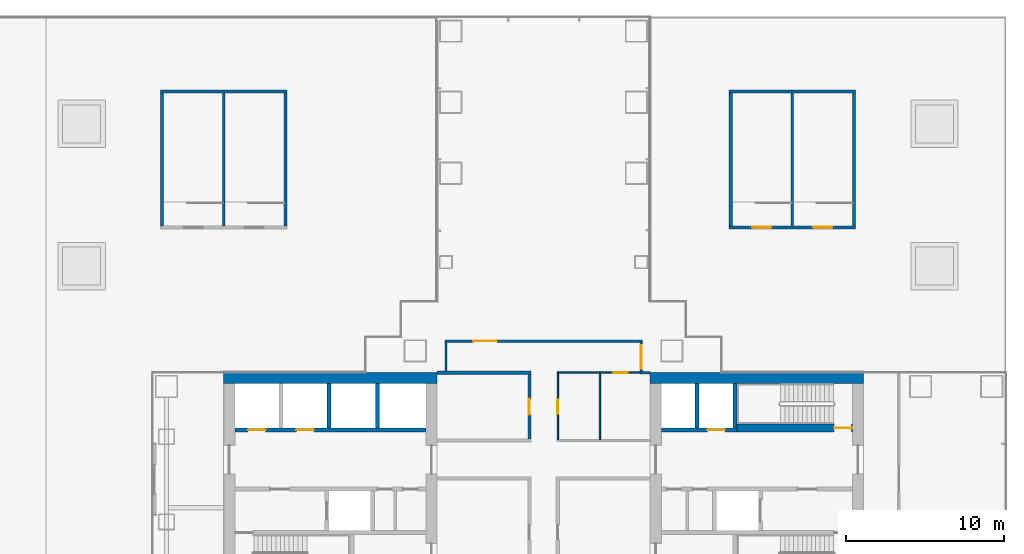
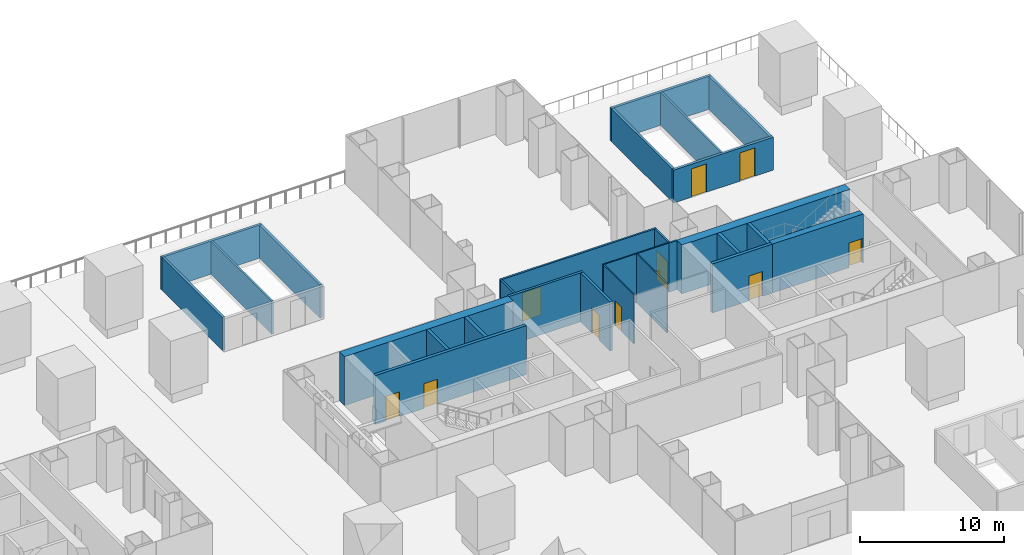
# One storey, part 18 of 23: 27 walls, 11 doors, 11 openings.
"""IFC4 building model written with IfcOpenShell, lengths in metres."""

from ifc_helpers import new_model, si_unit, direction, frame, frame_2d, origin, place, context, subcontext, project, spatial, rectangle, extrude, material, layer, layer_set, type_object, element, fill, save


model = new_model("IFC4")

# Units and contexts
model_context = context("Model", 3, precision=1e-05, world=origin(), true_north=direction((0.0, 1.0)))
body_context = subcontext(model_context, "Body", "Model", "MODEL_VIEW")
ifc_project = project(units=[si_unit("LENGTHUNIT", "METRE"), si_unit("AREAUNIT", "SQUARE_METRE"), si_unit("VOLUMEUNIT", "CUBIC_METRE"), si_unit("PLANEANGLEUNIT", "RADIAN"), si_unit("MASSUNIT", "GRAM", prefix="KILO")], contexts=[model_context])

# Site, building, storey
site_placement = place(None, origin())
site = spatial("IfcSite", under=ifc_project, at=site_placement, CompositionType="ELEMENT")
building_placement = place(site_placement, origin())
building = spatial("IfcBuilding", under=site, at=building_placement, Name="Shamsa Quay Exchange Towers", CompositionType="ELEMENT")
storey_placement = place(building_placement, frame((0.0, 0.0, 28.5)))
storey = spatial("IfcBuildingStorey", under=building, at=storey_placement, Name="L05", CompositionType="ELEMENT", Elevation=28.5)

# Walls
ifc_material_1 = material(Name="Concrete C80/95", Category="concrete")
ifc_layer_1 = layer(ifc_material_1, 0.699951171875)
ifc_layer_set_1 = layer_set([ifc_layer_1], Name="CORE WALL 700 C80/95")
wall_type_1 = type_object("IfcWallType", Name="CORE WALL 700 C80/95", PredefinedType="SHEAR", material=ifc_layer_set_1)
wall_1_placement = place(storey_placement, frame((13.5, 6.39990234375, 0.0)))
element("IfcWall", 1, at=wall_1_placement, inside=storey, type_object=wall_type_1, Name="Core wall T2A-R01-PN", PredefinedType="SHEAR", context=body_context, shape_type="SweptSolid", body=[
    extrude(rectangle(XDim=13.5, YDim=0.699951171875, at=frame_2d((6.75, 0.0))), origin(), (0.0, 0.0, 1.0), 4.14990234375),
])
wall_2_placement = place(storey_placement, frame((54.0, 6.39990234375, 0.0), z_axis=(0.0, 0.0, 1.0), x_axis=(-1.0, 0.0, 0.0)))
element("IfcWall", 2, at=wall_2_placement, inside=storey, type_object=wall_type_1, Name="Core wall T2B-R01-PN", PredefinedType="SHEAR", context=body_context, shape_type="SweptSolid", body=[
    extrude(rectangle(XDim=13.5, YDim=0.699951171875, at=frame_2d((6.75, 0.0))), origin(), (0.0, 0.0, 1.0), 4.14990234375),
])

# Wall, opening, door
ifc_material_2 = material(Name="Gypsum board partition on metal studs")
ifc_layer_2 = layer(ifc_material_2, 0.10009765625)
ifc_layer_set_2 = layer_set([ifc_layer_2], Name="Partition 100 mm NOT RATED")
wall_type_2 = type_object("IfcWallType", Name="Partition 100 mm NOT RATED", PredefinedType="PARTITIONING", material=ifc_layer_set_2)
wall_3_placement = place(storey_placement, frame((39.999755859375, 6.75, 0.0), z_axis=(0.0, 0.0, 1.0), x_axis=(-1.0, 0.0, 0.0)))
wall_3 = element("IfcWall", 3, at=wall_3_placement, inside=storey, type_object=wall_type_2, Name="Partition T2-R01-W10", PredefinedType="PARTITIONING", context=body_context, shape_type="SweptSolid", body=[
    extrude(rectangle(XDim=5.3994140625, YDim=0.10009765625, at=frame_2d((2.69970703125, 0.0))), origin(), (0.0, 0.0, 1.0), 4.14990234375),
])
opening_1_placement = place(wall_3_placement, frame((0.93115234375, 0.0, 0.0)))
opening_1 = element("IfcOpeningElement", 4, at=opening_1_placement, cuts=wall_3, Name="Opening T2-R01-D07", PredefinedType="OPENING", context=body_context, shape_type="SweptSolid", body=[
    extrude(rectangle(XDim=0.89990234375, YDim=2.10009765625, at=frame_2d((0.449951171875, 1.050048828125))), frame((0.0, 0.06005859375, 0.0), z_axis=(0.0, -1.0, 0.0), x_axis=(1.0, 0.0, 0.0)), (0.0, 0.0, 1.0), 0.1201171875),
])
ifc_material_3 = material(Name="Timber door leaf in a metal frame", Category="wood")
door_type_1 = type_object("IfcDoorType", Name="Door 900x2100 NOT RATED", OperationType="NOTDEFINED", PredefinedType="DOOR", material=ifc_material_3)
door_1_placement = place(opening_1_placement, origin())
door_1 = element("IfcDoor", 5, at=door_1_placement, inside=storey, type_object=door_type_1, Name="Door T2-R01-D07", OperationType="SINGLE_SWING_RIGHT", OverallHeight=2.10009765625, OverallWidth=0.89990234375, PredefinedType="DOOR", context=body_context, shape_type="SweptSolid", body=[
    extrude(rectangle(XDim=0.89990234375, YDim=2.10009765625, at=frame_2d((0.449951171875, 1.050048828125))), frame((0.0, 0.02490234375, 0.0), z_axis=(0.0, -1.0, 0.0), x_axis=(1.0, 0.0, 0.0)), (0.0, 0.0, 1.0), 0.050048828125),
])
fill(opening_1, door_1)

wall_4_placement = place(storey_placement, frame((34.650390625, 6.699951171875, 0.0), z_axis=(0.0, 0.0, 1.0), x_axis=(0.0, -1.0, 0.0)))
wall_4 = element("IfcWall", 6, at=wall_4_placement, inside=storey, type_object=wall_type_2, Name="Partition T2-R01-W11", PredefinedType="PARTITIONING", context=body_context, shape_type="SweptSolid", body=[
    extrude(rectangle(XDim=4.19970703125, YDim=0.10009765625, at=frame_2d((2.099853515625, 0.0))), origin(), (0.0, 0.0, 1.0), 4.14990234375),
])
opening_2_placement = place(wall_4_placement, frame((1.64990234375, 0.0, 0.0)))
opening_2 = element("IfcOpeningElement", 7, at=opening_2_placement, cuts=wall_4, Name="Opening T2-R01-D06", PredefinedType="OPENING", context=body_context, shape_type="SweptSolid", body=[
    extrude(rectangle(XDim=0.89990234375, YDim=2.10009765625, at=frame_2d((0.449951171875, 1.050048828125))), frame((0.0, 0.06005859375, 0.0), z_axis=(0.0, -1.0, 0.0), x_axis=(1.0, 0.0, 0.0)), (0.0, 0.0, 1.0), 0.1201171875),
])
door_2_placement = place(opening_2_placement, origin())
door_2 = element("IfcDoor", 8, at=door_2_placement, inside=storey, type_object=door_type_1, Name="Door T2-R01-D06", OperationType="SINGLE_SWING_RIGHT", OverallHeight=2.10009765625, OverallWidth=0.89990234375, PredefinedType="DOOR", context=body_context, shape_type="SweptSolid", body=[
    extrude(rectangle(XDim=0.89990234375, YDim=2.10009765625, at=frame_2d((0.449951171875, 1.050048828125))), frame((0.0, 0.02490234375, 0.0), z_axis=(0.0, -1.0, 0.0), x_axis=(1.0, 0.0, 0.0)), (0.0, 0.0, 1.0), 0.050048828125),
])
fill(opening_2, door_2)

# Wall
wall_5_placement = place(storey_placement, frame((37.3125, 6.699951171875, 0.0), z_axis=(0.0, 0.0, 1.0), x_axis=(0.0, -1.0, 0.0)))
element("IfcWall", 9, at=wall_5_placement, inside=storey, type_object=wall_type_2, Name="Partition T2-R01-W20", PredefinedType="PARTITIONING", context=body_context, shape_type="SweptSolid", body=[
    extrude(rectangle(XDim=4.19970703125, YDim=0.10009765625, at=frame_2d((2.099853515625, 0.0))), origin(), (0.0, 0.0, 1.0), 4.14990234375),
])

# Wall, opening, door
ifc_layer_3 = layer(ifc_material_2, 0.14990234375)
ifc_layer_set_3 = layer_set([ifc_layer_3], Name="Partition 150 mm EI 60")
wall_type_3 = type_object("IfcWallType", Name="Partition 150 mm EI 60", PredefinedType="PARTITIONING", material=ifc_layer_set_3)
wall_6_placement = place(storey_placement, frame((39.9248046875, 6.824951171875, 0.0), z_axis=(0.0, 0.0, 1.0), x_axis=(0.0, 1.0, 0.0)))
wall_6 = element("IfcWall", 10, at=wall_6_placement, inside=storey, type_object=wall_type_3, Name="Partition T2-R01-W13", PredefinedType="PARTITIONING", context=body_context, shape_type="SweptSolid", body=[
    extrude(rectangle(XDim=1.85009765625, YDim=0.14990234375, at=frame_2d((0.925048828125, 0.0))), origin(), (0.0, 0.0, 1.0), 4.14990234375),
])
opening_3_placement = place(wall_6_placement, frame((0.175048828125, 0.0, 0.0)))
opening_3 = element("IfcOpeningElement", 11, at=opening_3_placement, cuts=wall_6, Name="Opening T2-R01-D04", PredefinedType="OPENING", context=body_context, shape_type="SweptSolid", body=[
    extrude(rectangle(XDim=1.5, YDim=2.39990234375, at=frame_2d((0.75, 1.199951171875))), frame((0.0, 0.0849609375, 0.0), z_axis=(0.0, -1.0, 0.0), x_axis=(1.0, 0.0, 0.0)), (0.0, 0.0, 1.0), 0.169921875),
])
door_type_2 = type_object("IfcDoorType", Name="Door 1500x2400 FD30S pair", OperationType="NOTDEFINED", PredefinedType="DOOR", material=ifc_material_3)
door_3_placement = place(opening_3_placement, origin())
door_3 = element("IfcDoor", 12, at=door_3_placement, inside=storey, type_object=door_type_2, Name="Door T2-R01-D04", OperationType="DOUBLE_DOOR_SINGLE_SWING", OverallHeight=2.39990234375, OverallWidth=1.5, PredefinedType="DOOR", context=body_context, shape_type="SweptSolid", body=[
    extrude(rectangle(XDim=1.5, YDim=2.39990234375, at=frame_2d((0.75, 1.199951171875))), frame((0.0, 0.02490234375, 0.0), z_axis=(0.0, -1.0, 0.0), x_axis=(1.0, 0.0, 0.0)), (0.0, 0.0, 1.0), 0.050048828125),
])
fill(opening_3, door_3)

wall_7_placement = place(storey_placement, frame((39.999755859375, 8.75, 0.0), z_axis=(0.0, 0.0, 1.0), x_axis=(-1.0, 0.0, 0.0)))
wall_7 = element("IfcWall", 13, at=wall_7_placement, inside=storey, type_object=wall_type_3, Name="Partition T2-R01-W15", PredefinedType="PARTITIONING", context=body_context, shape_type="SweptSolid", body=[
    extrude(rectangle(XDim=12.49951171875, YDim=0.14990234375, at=frame_2d((6.249755859375, 0.0))), origin(), (0.0, 0.0, 1.0), 4.14990234375),
])
opening_4_placement = place(wall_7_placement, frame((9.20458984375, 0.0, 0.0)))
opening_4 = element("IfcOpeningElement", 14, at=opening_4_placement, cuts=wall_7, Name="Opening T2-R01-D10", PredefinedType="OPENING", context=body_context, shape_type="SweptSolid", body=[
    extrude(rectangle(XDim=1.5, YDim=2.39990234375, at=frame_2d((0.75, 1.199951171875))), frame((0.0, 0.0849609375, 0.0), z_axis=(0.0, -1.0, 0.0), x_axis=(1.0, 0.0, 0.0)), (0.0, 0.0, 1.0), 0.169921875),
])
door_4_placement = place(opening_4_placement, origin())
door_4 = element("IfcDoor", 15, at=door_4_placement, inside=storey, type_object=door_type_2, Name="Door T2-R01-D10", OperationType="DOUBLE_DOOR_SINGLE_SWING", OverallHeight=2.39990234375, OverallWidth=1.5, PredefinedType="DOOR", context=body_context, shape_type="SweptSolid", body=[
    extrude(rectangle(XDim=1.5, YDim=2.39990234375, at=frame_2d((0.75, 1.199951171875))), frame((0.0, 0.02490234375, 0.0), z_axis=(0.0, -1.0, 0.0), x_axis=(1.0, 0.0, 0.0)), (0.0, 0.0, 1.0), 0.050048828125),
])
fill(opening_4, door_4)

# Walls
wall_8_placement = place(storey_placement, frame((27.5751953125, 8.675048828125, 0.0), z_axis=(0.0, 0.0, 1.0), x_axis=(0.0, -1.0, 0.0)))
element("IfcWall", 16, at=wall_8_placement, inside=storey, type_object=wall_type_3, Name="Partition T2-R01-W17", PredefinedType="PARTITIONING", context=body_context, shape_type="SweptSolid", body=[
    extrude(rectangle(XDim=1.824951171875, YDim=0.14990234375, at=frame_2d((0.91259765625, 0.0))), origin(), (0.0, 0.0, 1.0), 4.14990234375),
])
wall_9_placement = place(storey_placement, frame((40.5, 6.75, 0.0), z_axis=(0.0, 0.0, 1.0), x_axis=(-1.0, 0.0, 0.0)))
element("IfcWall", 17, at=wall_9_placement, inside=storey, type_object=wall_type_3, Name="Partition T2-R01-W21", PredefinedType="PARTITIONING", context=body_context, shape_type="SweptSolid", body=[
    extrude(rectangle(XDim=0.650146484375, YDim=0.14990234375, at=frame_2d((0.3251953125, 0.0))), origin(), (0.0, 0.0, 1.0), 4.14990234375),
])
ifc_layer_4 = layer(ifc_material_2, 0.199951171875)
ifc_layer_set_4 = layer_set([ifc_layer_4], Name="Partition 200 mm EI 120")
wall_type_4 = type_object("IfcWallType", Name="Partition 200 mm EI 120", PredefinedType="PARTITIONING", material=ifc_layer_set_4)
wall_10_placement = place(storey_placement, frame((32.94970703125, 6.75, 0.0), z_axis=(0.0, 0.0, 1.0), x_axis=(-1.0, 0.0, 0.0)))
element("IfcWall", 18, at=wall_10_placement, inside=storey, type_object=wall_type_4, Name="Partition T2-R01-W01", PredefinedType="PARTITIONING", context=body_context, shape_type="SweptSolid", body=[
    extrude(rectangle(XDim=5.94970703125, YDim=0.199951171875, at=frame_2d((2.974853515625, 0.0))), origin(), (0.0, 0.0, 1.0), 4.14990234375),
])

# Wall, opening, door
wall_11_placement = place(storey_placement, frame((32.849609375, 2.55029296875, 0.0), z_axis=(0.0, 0.0, 1.0), x_axis=(0.0, 1.0, 0.0)))
wall_11 = element("IfcWall", 19, at=wall_11_placement, inside=storey, type_object=wall_type_4, Name="Partition T2-R01-W02", PredefinedType="PARTITIONING", context=body_context, shape_type="SweptSolid", body=[
    extrude(rectangle(XDim=4.099609375, YDim=0.199951171875, at=frame_2d((2.0498046875, 0.0))), origin(), (0.0, 0.0, 1.0), 4.14990234375),
])
opening_5_placement = place(wall_11_placement, frame((1.5498046875, 0.0, 0.0)))
opening_5 = element("IfcOpeningElement", 20, at=opening_5_placement, cuts=wall_11, Name="Opening T2-R01-D09", PredefinedType="OPENING", context=body_context, shape_type="SweptSolid", body=[
    extrude(rectangle(XDim=1.0, YDim=2.10009765625, at=frame_2d((0.5, 1.050048828125))), frame((0.0, 0.10986328125, 0.0), z_axis=(0.0, -1.0, 0.0), x_axis=(1.0, 0.0, 0.0)), (0.0, 0.0, 1.0), 0.219970703125),
])
door_type_3 = type_object("IfcDoorType", Name="Door 1000x2100 FD60", OperationType="NOTDEFINED", PredefinedType="DOOR", material=ifc_material_3)
door_5_placement = place(opening_5_placement, origin())
door_5 = element("IfcDoor", 21, at=door_5_placement, inside=storey, type_object=door_type_3, Name="Door T2-R01-D09", OperationType="SINGLE_SWING_RIGHT", OverallHeight=2.10009765625, OverallWidth=1.0, PredefinedType="DOOR", context=body_context, shape_type="SweptSolid", body=[
    extrude(rectangle(XDim=1.0, YDim=2.10009765625, at=frame_2d((0.5, 1.050048828125))), frame((0.0, 0.02490234375, 0.0), z_axis=(0.0, -1.0, 0.0), x_axis=(1.0, 0.0, 0.0)), (0.0, 0.0, 1.0), 0.050048828125),
])
fill(opening_5, door_5)

# Wall, openings, doors
ifc_material_4 = material(Name="Concrete C50/60", Category="concrete")
ifc_layer_5 = layer(ifc_material_4, 0.25)
ifc_layer_set_5 = layer_set([ifc_layer_5], Name="SHAFT WALL 250 C50/60")
wall_type_5 = type_object("IfcWallType", Name="SHAFT WALL 250 C50/60", PredefinedType="SHEAR", material=ifc_layer_set_5)
wall_12_placement = place(storey_placement, frame((14.199951171875, 3.125, 0.0)))
wall_12 = element("IfcWall", 22, at=wall_12_placement, inside=storey, type_object=wall_type_5, Name="Shaft wall T2A-R01-N", PredefinedType="SHEAR", context=body_context, shape_type="SweptSolid", body=[
    extrude(rectangle(XDim=12.10009765625, YDim=0.25, at=frame_2d((6.050048828125, 0.0))), origin(), (0.0, 0.0, 1.0), 4.14990234375),
])
opening_6_placement = place(wall_12_placement, frame((0.85009765625, 0.0, 0.0)))
opening_6 = element("IfcOpeningElement", 23, at=opening_6_placement, cuts=wall_12, Name="Opening T2A-R01-LD09", PredefinedType="OPENING", context=body_context, shape_type="SweptSolid", body=[
    extrude(rectangle(XDim=1.10009765625, YDim=2.10009765625, at=frame_2d((0.550048828125, 1.050048828125))), frame((0.0, 0.135009765625, 0.0), z_axis=(0.0, -1.0, 0.0), x_axis=(1.0, 0.0, 0.0)), (0.0, 0.0, 1.0), 0.27001953125),
])
opening_7_placement = place(wall_12_placement, frame((3.89990234375, 0.0, 0.0)))
opening_7 = element("IfcOpeningElement", 24, at=opening_7_placement, cuts=wall_12, Name="Opening T2A-R01-LD10", PredefinedType="OPENING", context=body_context, shape_type="SweptSolid", body=[
    extrude(rectangle(XDim=1.10009765625, YDim=2.10009765625, at=frame_2d((0.550048828125, 1.050048828125))), frame((0.0, 0.135009765625, 0.0), z_axis=(0.0, -1.0, 0.0), x_axis=(1.0, 0.0, 0.0)), (0.0, 0.0, 1.0), 0.27001953125),
])
ifc_material_5 = material(Name="Steel, fire rated", Category="steel")
door_type_4 = type_object("IfcDoorType", Name="LANDING DOOR 1100", OperationType="SLIDING_TO_LEFT", PredefinedType="DOOR", material=ifc_material_5)
door_6_placement = place(opening_6_placement, origin())
door_6 = element("IfcDoor", 25, at=door_6_placement, inside=storey, type_object=door_type_4, Name="T2A-R01-LD09", OperationType="SLIDING_TO_LEFT", OverallHeight=2.10009765625, OverallWidth=1.10009765625, PredefinedType="DOOR", context=body_context, shape_type="SweptSolid", body=[
    extrude(rectangle(XDim=1.10009765625, YDim=2.10009765625, at=frame_2d((0.550048828125, 1.050048828125))), frame((0.0, 0.02490234375, 0.0), z_axis=(0.0, -1.0, 0.0), x_axis=(1.0, 0.0, 0.0)), (0.0, 0.0, 1.0), 0.050048828125),
])
fill(opening_6, door_6)
door_7_placement = place(opening_7_placement, origin())
door_7 = element("IfcDoor", 26, at=door_7_placement, inside=storey, type_object=door_type_4, Name="T2A-R01-LD10", OperationType="SLIDING_TO_LEFT", OverallHeight=2.10009765625, OverallWidth=1.10009765625, PredefinedType="DOOR", context=body_context, shape_type="SweptSolid", body=[
    extrude(rectangle(XDim=1.10009765625, YDim=2.10009765625, at=frame_2d((0.550048828125, 1.050048828125))), frame((0.0, 0.02490234375, 0.0), z_axis=(0.0, -1.0, 0.0), x_axis=(1.0, 0.0, 0.0)), (0.0, 0.0, 1.0), 0.050048828125),
])
fill(opening_7, door_7)

# Walls
for number, where, z_axis, x_axis, name in (
    (27, (20.175048828125, 3.25, 0.0), (0.0, 0.0, 1.0), (0.0, 1.0, 0.0), "Shaft wall T2A-R01-D1"),
    (28, (23.22509765625, 3.25, 0.0), (0.0, 0.0, 1.0), (0.0, 1.0, 0.0), "Shaft wall T2A-R01-D2"),
):
    element("IfcWall", number, at=place(storey_placement, frame(where, z_axis=z_axis, x_axis=x_axis)), inside=storey, type_object=wall_type_5, Name=name, PredefinedType="SHEAR", context=body_context, shape_type="SweptSolid", body=[
        extrude(rectangle(XDim=2.800048828125, YDim=0.25, at=frame_2d((1.39990234375, 0.0))), origin(), (0.0, 0.0, 1.0), 4.14990234375),
    ])

# Wall, opening, door
wall_13_placement = place(storey_placement, frame((46.0, 3.125, 0.0), z_axis=(0.0, 0.0, 1.0), x_axis=(-1.0, 0.0, 0.0)))
wall_13 = element("IfcWall", 29, at=wall_13_placement, inside=storey, type_object=wall_type_5, Name="Shaft wall T2B-R01-N2", PredefinedType="SHEAR", context=body_context, shape_type="SweptSolid", body=[
    extrude(rectangle(XDim=4.800048828125, YDim=0.25, at=frame_2d((2.39990234375, 0.0))), origin(), (0.0, 0.0, 1.0), 4.14990234375),
])
opening_8_placement = place(wall_13_placement, frame((0.77490234375, 0.0, 0.0)))
opening_8 = element("IfcOpeningElement", 30, at=opening_8_placement, cuts=wall_13, Name="Opening T2B-R01-LD10", PredefinedType="OPENING", context=body_context, shape_type="SweptSolid", body=[
    extrude(rectangle(XDim=1.10009765625, YDim=2.10009765625, at=frame_2d((0.550048828125, 1.050048828125))), frame((0.0, 0.135009765625, 0.0), z_axis=(0.0, -1.0, 0.0), x_axis=(1.0, 0.0, 0.0)), (0.0, 0.0, 1.0), 0.27001953125),
])
door_8_placement = place(opening_8_placement, origin())
door_8 = element("IfcDoor", 31, at=door_8_placement, inside=storey, type_object=door_type_4, Name="T2B-R01-LD10", OperationType="SLIDING_TO_LEFT", OverallHeight=2.10009765625, OverallWidth=1.10009765625, PredefinedType="DOOR", context=body_context, shape_type="SweptSolid", body=[
    extrude(rectangle(XDim=1.10009765625, YDim=2.10009765625, at=frame_2d((0.550048828125, 1.050048828125))), frame((0.0, 0.02490234375, 0.0), z_axis=(0.0, -1.0, 0.0), x_axis=(1.0, 0.0, 0.0)), (0.0, 0.0, 1.0), 0.050048828125),
])
fill(opening_8, door_8)

# Walls
for number, where, z_axis, x_axis, name in (
    (32, (45.875, 3.25, 0.0), (0.0, 0.0, 1.0), (0.0, 1.0, 0.0), "Shaft wall T2B-R01-STF2"),
    (33, (43.47509765625, 3.25, 0.0), (0.0, 0.0, 1.0), (0.0, 1.0, 0.0), "Shaft wall T2B-R01-D0"),
):
    element("IfcWall", number, at=place(storey_placement, frame(where, z_axis=z_axis, x_axis=x_axis)), inside=storey, type_object=wall_type_5, Name=name, PredefinedType="SHEAR", context=body_context, shape_type="SweptSolid", body=[
        extrude(rectangle(XDim=2.800048828125, YDim=0.25, at=frame_2d((1.39990234375, 0.0))), origin(), (0.0, 0.0, 1.0), 4.14990234375),
    ])

# Wall, opening, door
ifc_layer_6 = layer(ifc_material_4, 0.5)
ifc_layer_set_6 = layer_set([ifc_layer_6], Name="SHAFT WALL 500 C50/60")
wall_type_6 = type_object("IfcWallType", Name="SHAFT WALL 500 C50/60", PredefinedType="SHEAR", material=ifc_layer_set_6)
wall_14_placement = place(storey_placement, frame((46.0, 3.25, 0.0)))
wall_14 = element("IfcWall", 34, at=wall_14_placement, inside=storey, type_object=wall_type_6, Name="Shaft wall T2B-R01-N", PredefinedType="SHEAR", context=body_context, shape_type="SweptSolid", body=[
    extrude(rectangle(XDim=7.300048828125, YDim=0.5, at=frame_2d((3.64990234375, 0.0))), origin(), (0.0, 0.0, 1.0), 4.14990234375),
])
opening_9_placement = place(wall_14_placement, frame((6.14990234375, 0.0, 0.0)))
opening_9 = element("IfcOpeningElement", 35, at=opening_9_placement, cuts=wall_14, Name="Opening T2B-R01-SD09", PredefinedType="OPENING", context=body_context, shape_type="SweptSolid", body=[
    extrude(rectangle(XDim=1.10009765625, YDim=2.10009765625, at=frame_2d((0.550048828125, 1.050048828125))), frame((0.0, 0.260009765625, 0.0), z_axis=(0.0, -1.0, 0.0), x_axis=(1.0, 0.0, 0.0)), (0.0, 0.0, 1.0), 0.52001953125),
])
door_type_5 = type_object("IfcDoorType", Name="STAIR DOOR 1100", OperationType="SINGLE_SWING_LEFT", PredefinedType="DOOR", material=ifc_material_5)
door_9_placement = place(opening_9_placement, origin())
door_9 = element("IfcDoor", 36, at=door_9_placement, inside=storey, type_object=door_type_5, Name="T2B-R01-SD09", OperationType="SINGLE_SWING_RIGHT", OverallHeight=2.10009765625, OverallWidth=1.10009765625, PredefinedType="DOOR", context=body_context, shape_type="SweptSolid", body=[
    extrude(rectangle(XDim=1.10009765625, YDim=2.10009765625, at=frame_2d((0.550048828125, 1.050048828125))), frame((0.0, 0.02490234375, 0.0), z_axis=(0.0, -1.0, 0.0), x_axis=(1.0, 0.0, 0.0)), (0.0, 0.0, 1.0), 0.050048828125),
])
fill(opening_9, door_9)

# Walls
ifc_layer_7 = layer(ifc_material_4, 0.199951171875)
ifc_layer_set_7 = layer_set([ifc_layer_7], Name="STAIR ENCLOSURE WALL 200 C50/60")
wall_type_7 = type_object("IfcWallType", Name="STAIR ENCLOSURE WALL 200 C50/60", PredefinedType="SHEAR", material=ifc_layer_set_7)
wall_15_placement = place(storey_placement, frame((9.5, 24.550048828125, 0.0)))
element("IfcWall", 37, at=wall_15_placement, inside=storey, type_object=wall_type_7, Name="Stair enclosure wall PS3 outward", PredefinedType="SHEAR", context=body_context, shape_type="SweptSolid", body=[
    extrude(rectangle(XDim=8.0, YDim=0.199951171875, at=frame_2d((4.0, 0.0))), origin(), (0.0, 0.0, 1.0), 2.800048828125),
])
for number, where, z_axis, x_axis, name in (
    (38, (9.60009765625, 16.050048828125, 0.0), (0.0, 0.0, 1.0), (0.0, 1.0, 0.0), "Stair enclosure wall PS3 west"),
    (39, (17.39990234375, 16.050048828125, 0.0), (0.0, 0.0, 1.0), (0.0, 1.0, 0.0), "Stair enclosure wall PS3 east"),
):
    element("IfcWall", number, at=place(storey_placement, frame(where, z_axis=z_axis, x_axis=x_axis)), inside=storey, type_object=wall_type_7, Name=name, PredefinedType="SHEAR", context=body_context, shape_type="SweptSolid", body=[
        extrude(rectangle(XDim=8.39990234375, YDim=0.199951171875, at=frame_2d((4.199951171875, 0.0))), origin(), (0.0, 0.0, 1.0), 2.800048828125),
    ])

# Wall, openings, doors
wall_16_placement = place(storey_placement, frame((45.5, 15.949951171875, 0.0)))
wall_16 = element("IfcWall", 40, at=wall_16_placement, inside=storey, type_object=wall_type_7, Name="Stair enclosure wall PS4 inward", PredefinedType="SHEAR", context=body_context, shape_type="SweptSolid", body=[
    extrude(rectangle(XDim=8.0, YDim=0.199951171875, at=frame_2d((4.0, 0.0))), origin(), (0.0, 0.0, 1.0), 2.800048828125),
])
opening_10_placement = place(wall_16_placement, frame((1.46240234375, 0.0, 0.0)))
opening_10 = element("IfcOpeningElement", 41, at=opening_10_placement, cuts=wall_16, Name="Opening PS4A-L05-SD01", PredefinedType="OPENING", context=body_context, shape_type="SweptSolid", body=[
    extrude(rectangle(XDim=1.199951171875, YDim=2.39990234375, at=frame_2d((0.60009765625, 1.199951171875))), frame((0.0, 0.10986328125, 0.0), z_axis=(0.0, -1.0, 0.0), x_axis=(1.0, 0.0, 0.0)), (0.0, 0.0, 1.0), 0.219970703125),
])
opening_11_placement = place(wall_16_placement, frame((5.33740234375, 0.0, 0.0)))
opening_11 = element("IfcOpeningElement", 42, at=opening_11_placement, cuts=wall_16, Name="Opening PS4B-L05-SD01", PredefinedType="OPENING", context=body_context, shape_type="SweptSolid", body=[
    extrude(rectangle(XDim=1.199951171875, YDim=2.39990234375, at=frame_2d((0.60009765625, 1.199951171875))), frame((0.0, 0.10986328125, 0.0), z_axis=(0.0, -1.0, 0.0), x_axis=(1.0, 0.0, 0.0)), (0.0, 0.0, 1.0), 0.219970703125),
])
door_type_6 = type_object("IfcDoorType", Name="PODIUM STAIR DOOR 1200", OperationType="SINGLE_SWING_LEFT", PredefinedType="DOOR", material=ifc_material_5)
door_10_placement = place(opening_10_placement, origin())
door_10 = element("IfcDoor", 43, at=door_10_placement, inside=storey, type_object=door_type_6, Name="PS4A-L05-SD01", OperationType="SINGLE_SWING_LEFT", OverallHeight=2.39990234375, OverallWidth=1.199951171875, PredefinedType="DOOR", context=body_context, shape_type="SweptSolid", body=[
    extrude(rectangle(XDim=1.199951171875, YDim=2.39990234375, at=frame_2d((0.60009765625, 1.199951171875))), frame((0.0, 0.02490234375, 0.0), z_axis=(0.0, -1.0, 0.0), x_axis=(1.0, 0.0, 0.0)), (0.0, 0.0, 1.0), 0.050048828125),
])
fill(opening_10, door_10)
door_11_placement = place(opening_11_placement, origin())
door_11 = element("IfcDoor", 44, at=door_11_placement, inside=storey, type_object=door_type_6, Name="PS4B-L05-SD01", OperationType="SINGLE_SWING_RIGHT", OverallHeight=2.39990234375, OverallWidth=1.199951171875, PredefinedType="DOOR", context=body_context, shape_type="SweptSolid", body=[
    extrude(rectangle(XDim=1.199951171875, YDim=2.39990234375, at=frame_2d((0.60009765625, 1.199951171875))), frame((0.0, 0.02490234375, 0.0), z_axis=(0.0, -1.0, 0.0), x_axis=(1.0, 0.0, 0.0)), (0.0, 0.0, 1.0), 0.050048828125),
])
fill(opening_11, door_11)

# Walls
wall_17_placement = place(storey_placement, frame((45.5, 24.550048828125, 0.0)))
element("IfcWall", 45, at=wall_17_placement, inside=storey, type_object=wall_type_7, Name="Stair enclosure wall PS4 outward", PredefinedType="SHEAR", context=body_context, shape_type="SweptSolid", body=[
    extrude(rectangle(XDim=8.0, YDim=0.199951171875, at=frame_2d((4.0, 0.0))), origin(), (0.0, 0.0, 1.0), 2.800048828125),
])
for number, where, z_axis, x_axis, name in (
    (46, (45.60009765625, 16.050048828125, 0.0), (0.0, 0.0, 1.0), (0.0, 1.0, 0.0), "Stair enclosure wall PS4 west"),
    (47, (53.39990234375, 16.050048828125, 0.0), (0.0, 0.0, 1.0), (0.0, 1.0, 0.0), "Stair enclosure wall PS4 east"),
):
    element("IfcWall", number, at=place(storey_placement, frame(where, z_axis=z_axis, x_axis=x_axis)), inside=storey, type_object=wall_type_7, Name=name, PredefinedType="SHEAR", context=body_context, shape_type="SweptSolid", body=[
        extrude(rectangle(XDim=8.39990234375, YDim=0.199951171875, at=frame_2d((4.199951171875, 0.0))), origin(), (0.0, 0.0, 1.0), 2.800048828125),
    ])
ifc_layer_8 = layer(ifc_material_4, 0.14990234375)
ifc_layer_set_8 = layer_set([ifc_layer_8], Name="STAIR PARTITION WALL 150 C50/60")
wall_type_8 = type_object("IfcWallType", Name="STAIR PARTITION WALL 150 C50/60", PredefinedType="SHEAR", material=ifc_layer_set_8)
for number, where, z_axis, x_axis, name in (
    (48, (13.5, 16.050048828125, 0.0), (0.0, 0.0, 1.0), (0.0, 1.0, 0.0), "Stair enclosure wall PS3 between the stairs"),
    (49, (49.5, 16.050048828125, 0.0), (0.0, 0.0, 1.0), (0.0, 1.0, 0.0), "Stair enclosure wall PS4 between the stairs"),
):
    element("IfcWall", number, at=place(storey_placement, frame(where, z_axis=z_axis, x_axis=x_axis)), inside=storey, type_object=wall_type_8, Name=name, PredefinedType="SHEAR", context=body_context, shape_type="SweptSolid", body=[
        extrude(rectangle(XDim=8.39990234375, YDim=0.14990234375, at=frame_2d((4.199951171875, 0.0))), origin(), (0.0, 0.0, 1.0), 2.800048828125),
    ])

save(model, "model.ifc")
